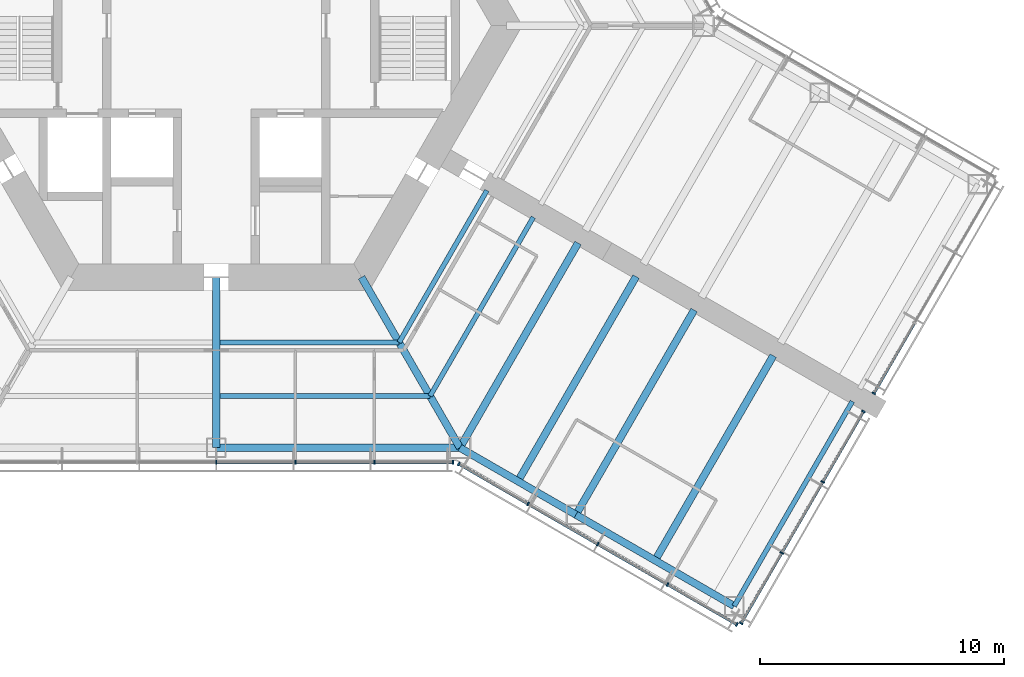
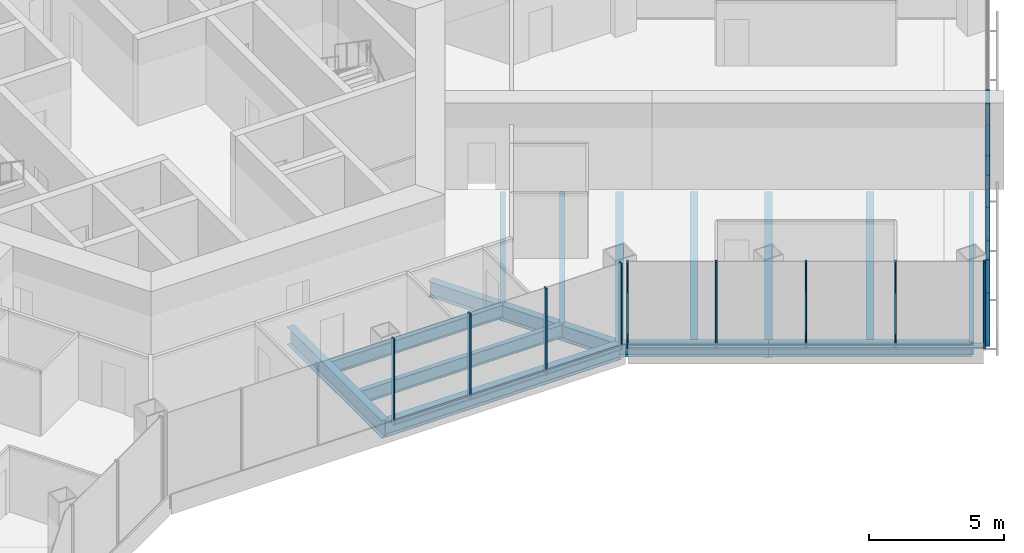
# One storey, part 5 of 19: 25 members, 14 beams, 4 elements without a shape of their own.
"""IFC4 building model written with IfcOpenShell, lengths in metres."""

from ifc_helpers import new_model, si_unit, direction, frame, origin, origin_2d, place, context, subcontext, project, spatial, rectangle, i_section, extrude, material, material_profile, profile_set, type_object, element, aggregate, save


model = new_model("IFC4")

# Units and contexts
model_context = context("Model", 3, precision=1e-05, world=origin(), true_north=direction((0.0, 1.0)))
body_context = subcontext(model_context, "Body", "Model", "MODEL_VIEW")
ifc_project = project(units=[si_unit("LENGTHUNIT", "METRE"), si_unit("AREAUNIT", "SQUARE_METRE"), si_unit("VOLUMEUNIT", "CUBIC_METRE"), si_unit("PLANEANGLEUNIT", "RADIAN"), si_unit("MASSUNIT", "GRAM", prefix="KILO")], contexts=[model_context])

# Site, building, storey
site_placement = place(None, origin())
site = spatial("IfcSite", under=ifc_project, at=site_placement, CompositionType="ELEMENT")
building_placement = place(site_placement, origin())
building = spatial("IfcBuilding", under=site, at=building_placement, Name="Kasaneha Research Tower", CompositionType="ELEMENT")
storey_placement = place(building_placement, frame((0.0, 0.0, 92.39990234375)))
storey = spatial("IfcBuildingStorey", under=building, at=storey_placement, Name="L23", CompositionType="ELEMENT", Elevation=92.39990234375)

# Beams
ifc_material_1 = material(Name="Steel SN490B", Category="steel")
ifc_material_profile_1 = material_profile(ifc_material_1, i_section(OverallWidth=0.199951171875, OverallDepth=0.60009765625, WebThickness=0.010986328125, FlangeThickness=0.01708984375, FilletRadius=0.012939453125, at=origin_2d()), Name="H-600x200x11x17")
ifc_profile_set_1 = profile_set([ifc_material_profile_1], Name="Steel SN490B")
beam_type_1 = type_object("IfcBeamType", Name="B1-3 secondary beam H-600x200x11x17", PredefinedType="JOIST", material=ifc_profile_set_1)
beam_1_placement = place(storey_placement, frame((7.505615234375, -13.0, -0.449951171875), z_axis=(-1.0, 0.0, 0.0), x_axis=(0.0, -1.0, 0.0)))
element("IfcBeam", 1, at=beam_1_placement, inside=storey, type_object=beam_type_1, Name="Secondary beam RS270R1 L23", PredefinedType="JOIST", context=body_context, shape_type="SweptSolid", body=[
    extrude(i_section(OverallWidth=0.199951171875, OverallDepth=0.60009765625, WebThickness=0.010986328125, FlangeThickness=0.01708984375, FilletRadius=0.012939453125, at=origin_2d()), origin(), (0.0, 0.0, 1.0), 7.355712890625),
])
beam_2_placement = place(storey_placement, frame((8.775634765625, -15.199951171875, -0.449951171875), z_axis=(-1.0, 0.0, 0.0), x_axis=(0.0, -1.0, 0.0)))
element("IfcBeam", 2, at=beam_2_placement, inside=storey, type_object=beam_type_1, Name="Secondary beam RS270R2 L23", PredefinedType="JOIST", context=body_context, shape_type="SweptSolid", body=[
    extrude(i_section(OverallWidth=0.199951171875, OverallDepth=0.60009765625, WebThickness=0.010986328125, FlangeThickness=0.01708984375, FilletRadius=0.012939453125, at=origin_2d()), origin(), (0.0, 0.0, 1.0), 8.625732421875),
])
beam_3_placement = place(storey_placement, frame((7.505615234375, -13.0, -0.449951171875), z_axis=(0.499998147991, 0.86602647304, 0.0), x_axis=(-0.86602647304, 0.499998147991, 0.0)))
element("IfcBeam", 3, at=beam_3_placement, inside=storey, type_object=beam_type_1, Name="Secondary beam RS330L1 L23", PredefinedType="JOIST", context=body_context, shape_type="SweptSolid", body=[
    extrude(i_section(OverallWidth=0.199951171875, OverallDepth=0.60009765625, WebThickness=0.010986328125, FlangeThickness=0.01708984375, FilletRadius=0.012939453125, at=origin_2d()), origin(), (0.0, 0.0, 1.0), 7.20556640625),
])
beam_4_placement = place(storey_placement, frame((8.775634765625, -15.199951171875, -0.449951171875), z_axis=(0.500020829043, 0.866013377797, 0.0), x_axis=(-0.866013377797, 0.500020829043, 0.0)))
element("IfcBeam", 4, at=beam_4_placement, inside=storey, type_object=beam_type_1, Name="Secondary beam RS330L2 L23", PredefinedType="JOIST", context=body_context, shape_type="SweptSolid", body=[
    extrude(i_section(OverallWidth=0.199951171875, OverallDepth=0.60009765625, WebThickness=0.010986328125, FlangeThickness=0.01708984375, FilletRadius=0.012939453125, at=origin_2d()), origin(), (0.0, 0.0, 1.0), 8.475830078125),
])
ifc_material_2 = material(Name="Steel SN490B", Category="steel")
ifc_material_profile_2 = material_profile(ifc_material_2, i_section(OverallWidth=0.300048828125, OverallDepth=0.58203125, WebThickness=0.011962890625, FlangeThickness=0.01708984375, FilletRadius=0.012939453125, at=origin_2d()), Name="H-582x300x12x17")
ifc_profile_set_2 = profile_set([ifc_material_profile_2], Name="Steel SN490B")
beam_type_2 = type_object("IfcBeamType", Name="B2-3 secondary beam H-582x300x12x17", PredefinedType="JOIST", material=ifc_profile_set_2)
for number, where, z_axis, x_axis, name in (
    (5, (12.381591796875, -18.695556640625, -0.44091796875), (0.500010041276, 0.866019606374, 0.0), (-0.866019606374, 0.500010041276, 0.0), "Secondary beam WBCP1 L23"),
    (6, (18.0107421875, -21.945556640625, -0.44091796875), (0.500010041276, 0.866019606374, 0.0), (-0.866019606374, 0.500010041276, 0.0), "Secondary beam WBCP2 L23"),
):
    element("IfcBeam", number, at=place(storey_placement, frame(where, z_axis=z_axis, x_axis=x_axis)), inside=storey, type_object=beam_type_2, Name=name, PredefinedType="JOIST", context=body_context, shape_type="SweptSolid", body=[
        extrude(i_section(OverallWidth=0.300048828125, OverallDepth=0.58203125, WebThickness=0.011962890625, FlangeThickness=0.01708984375, FilletRadius=0.012939453125, at=origin_2d()), origin(), (0.0, 0.0, 1.0), 9.699951171875),
    ])

# Curtain wall, members
ifc_material_3 = material(Name="Glass and aluminium", Category="aluminium")
curtain_wall_type = type_object("IfcCurtainWallType", Name="Low-rise office curtain wall", PredefinedType="USERDEFINED", material=ifc_material_3)
curtain_wall_1_placement = place(storey_placement, origin())
curtain_wall_1 = element("IfcCurtainWall", 7, at=curtain_wall_1_placement, inside=storey, type_object=curtain_wall_type, Name="CW-O1 L23 run 02a", ObjectType="UNITISED CURTAIN WALL", PredefinedType="USERDEFINED")
ifc_material_4 = material(Name="Aluminium 6063-T6", Category="aluminium")
ifc_material_profile_3 = material_profile(ifc_material_4, rectangle(XDim=0.06005859375, YDim=0.159912109375, at=origin_2d()), Name="CW-O1 mullion 60x160")
ifc_profile_set_3 = profile_set([ifc_material_profile_3], Name="Aluminium 6063-T6")
member_type_1 = type_object("IfcMemberType", Name="CW-O1 mullion", PredefinedType="MULLION", material=ifc_profile_set_3)
member_1_placement = place(storey_placement, frame((0.0, -17.92041015625, 0.0), z_axis=(0.0, 0.0, 1.0), x_axis=(1.0, 0.0, 0.0)))
member_1 = element("IfcMember", 8, at=member_1_placement, type_object=member_type_1, Name="CW-O1 mullion 4", PredefinedType="MULLION", context=body_context, shape_type="SweptSolid", body=[
    extrude(rectangle(XDim=0.06005859375, YDim=0.159912109375, at=origin_2d()), origin(), (0.0, 0.0, 1.0), 3.900146484375),
])
member_2_placement = place(storey_placement, frame((3.246337890625, -17.92041015625, 0.0), z_axis=(0.0, 0.0, 1.0), x_axis=(1.0, 0.0, 0.0)))
member_2 = element("IfcMember", 9, at=member_2_placement, type_object=member_type_1, Name="CW-O1 mullion 5", PredefinedType="MULLION", context=body_context, shape_type="SweptSolid", body=[
    extrude(rectangle(XDim=0.06005859375, YDim=0.159912109375, at=origin_2d()), origin(), (0.0, 0.0, 1.0), 3.900146484375),
])
member_3_placement = place(storey_placement, frame((6.492919921875, -17.92041015625, 0.0), z_axis=(0.0, 0.0, 1.0), x_axis=(1.0, 0.0, 0.0)))
member_3 = element("IfcMember", 10, at=member_3_placement, type_object=member_type_1, Name="CW-O1 mullion 6", PredefinedType="MULLION", context=body_context, shape_type="SweptSolid", body=[
    extrude(rectangle(XDim=0.06005859375, YDim=0.159912109375, at=origin_2d()), origin(), (0.0, 0.0, 1.0), 3.900146484375),
])
member_4_placement = place(storey_placement, frame((9.709228515625, -17.92041015625, 0.0), z_axis=(0.0, 0.0, 1.0), x_axis=(1.0, 0.0, 0.0)))
member_4 = element("IfcMember", 11, at=member_4_placement, type_object=member_type_1, Name="CW-O1 mullion 7", PredefinedType="MULLION", context=body_context, shape_type="SweptSolid", body=[
    extrude(rectangle(XDim=0.06005859375, YDim=0.159912109375, at=origin_2d()), origin(), (0.0, 0.0, 1.0), 3.900146484375),
])

curtain_wall_2_placement = place(storey_placement, origin())
curtain_wall_2 = element("IfcCurtainWall", 12, at=curtain_wall_2_placement, inside=storey, type_object=curtain_wall_type, Name="CW-O1 L23 run 03a", ObjectType="UNITISED CURTAIN WALL", PredefinedType="USERDEFINED")
member_5_placement = place(storey_placement, frame((9.951904296875, -17.985595703125, 0.0), z_axis=(0.0, 0.0, 1.0), x_axis=(0.866025411464, -0.499999986699, 0.0)))
member_5 = element("IfcMember", 13, at=member_5_placement, type_object=member_type_1, Name="CW-O1 mullion 1", PredefinedType="MULLION", context=body_context, shape_type="SweptSolid", body=[
    extrude(rectangle(XDim=0.06005859375, YDim=0.159912109375, at=origin_2d()), origin(), (0.0, 0.0, 1.0), 3.900146484375),
])
member_6_placement = place(storey_placement, frame((12.792236328125, -19.62548828125, 0.0), z_axis=(0.0, 0.0, 1.0), x_axis=(0.866025411464, -0.499999986699, 0.0)))
member_6 = element("IfcMember", 14, at=member_6_placement, type_object=member_type_1, Name="CW-O1 mullion 2", PredefinedType="MULLION", context=body_context, shape_type="SweptSolid", body=[
    extrude(rectangle(XDim=0.06005859375, YDim=0.159912109375, at=origin_2d()), origin(), (0.0, 0.0, 1.0), 3.900146484375),
])
member_7_placement = place(storey_placement, frame((15.65869140625, -21.2802734375, 0.0), z_axis=(0.0, 0.0, 1.0), x_axis=(0.866025411464, -0.499999986699, 0.0)))
member_7 = element("IfcMember", 15, at=member_7_placement, type_object=member_type_1, Name="CW-O1 mullion 3", PredefinedType="MULLION", context=body_context, shape_type="SweptSolid", body=[
    extrude(rectangle(XDim=0.06005859375, YDim=0.159912109375, at=origin_2d()), origin(), (0.0, 0.0, 1.0), 3.900146484375),
])
member_8_placement = place(storey_placement, frame((18.52490234375, -22.935302734375, 0.0), z_axis=(0.0, 0.0, 1.0), x_axis=(0.866025411464, -0.499999986699, 0.0)))
member_8 = element("IfcMember", 16, at=member_8_placement, type_object=member_type_1, Name="CW-O1 mullion 4", PredefinedType="MULLION", context=body_context, shape_type="SweptSolid", body=[
    extrude(rectangle(XDim=0.06005859375, YDim=0.159912109375, at=origin_2d()), origin(), (0.0, 0.0, 1.0), 3.900146484375),
])
member_9_placement = place(storey_placement, frame((21.365478515625, -24.5751953125, 0.0), z_axis=(0.0, 0.0, 1.0), x_axis=(0.866025411464, -0.499999986699, 0.0)))
member_9 = element("IfcMember", 17, at=member_9_placement, type_object=member_type_1, Name="CW-O1 mullion 5", PredefinedType="MULLION", context=body_context, shape_type="SweptSolid", body=[
    extrude(rectangle(XDim=0.06005859375, YDim=0.159912109375, at=origin_2d()), origin(), (0.0, 0.0, 1.0), 3.900146484375),
])

curtain_wall_3_placement = place(storey_placement, origin())
curtain_wall_3 = element("IfcCurtainWall", 18, at=curtain_wall_3_placement, inside=storey, type_object=curtain_wall_type, Name="CW-O1 L23 run 04a", ObjectType="UNITISED CURTAIN WALL", PredefinedType="USERDEFINED")
member_10_placement = place(storey_placement, frame((21.54296875, -24.527587890625, 0.0), z_axis=(0.0, 0.0, 1.0), x_axis=(0.500000011442, 0.866025397178, 0.0)))
member_10 = element("IfcMember", 19, at=member_10_placement, type_object=member_type_1, Name="CW-O1 mullion 1", PredefinedType="MULLION", context=body_context, shape_type="SweptSolid", body=[
    extrude(rectangle(XDim=0.06005859375, YDim=0.159912109375, at=origin_2d()), origin(), (0.0, 0.0, 1.0), 3.900146484375),
])
member_11_placement = place(storey_placement, frame((23.211181640625, -21.637939453125, 0.0), z_axis=(0.0, 0.0, 1.0), x_axis=(0.500000011442, 0.866025397178, 0.0)))
member_11 = element("IfcMember", 20, at=member_11_placement, type_object=member_type_1, Name="CW-O1 mullion 2", PredefinedType="MULLION", context=body_context, shape_type="SweptSolid", body=[
    extrude(rectangle(XDim=0.06005859375, YDim=0.159912109375, at=origin_2d()), origin(), (0.0, 0.0, 1.0), 3.900146484375),
])
member_12_placement = place(storey_placement, frame((24.89453125, -18.72216796875, 0.0), z_axis=(0.0, 0.0, 1.0), x_axis=(0.500000011442, 0.866025397178, 0.0)))
member_12 = element("IfcMember", 21, at=member_12_placement, type_object=member_type_1, Name="CW-O1 mullion 3", PredefinedType="MULLION", context=body_context, shape_type="SweptSolid", body=[
    extrude(rectangle(XDim=0.06005859375, YDim=0.159912109375, at=origin_2d()), origin(), (0.0, 0.0, 1.0), 3.900146484375),
])
member_13_placement = place(storey_placement, frame((26.56298828125, -15.832763671875, 0.0), z_axis=(0.0, 0.0, 1.0), x_axis=(0.500000011442, 0.866025397178, 0.0)))
member_13 = element("IfcMember", 22, at=member_13_placement, type_object=member_type_1, Name="CW-O1 mullion 4", PredefinedType="MULLION", context=body_context, shape_type="SweptSolid", body=[
    extrude(rectangle(XDim=0.06005859375, YDim=0.159912109375, at=origin_2d()), origin(), (0.0, 0.0, 1.0), 3.900146484375),
])

# Curtain wall, member
curtain_wall_4_placement = place(storey_placement, origin())
curtain_wall_4 = element("IfcCurtainWall", 23, at=curtain_wall_4_placement, inside=storey, type_object=curtain_wall_type, Name="CW-O1 L23 run 05a", ObjectType="UNITISED CURTAIN WALL", PredefinedType="USERDEFINED")
member_14_placement = place(storey_placement, frame((26.992919921875, -15.087890625, 0.0), z_axis=(0.0, 0.0, 1.0), x_axis=(0.500000011442, 0.866025397178, 0.0)))
member_14 = element("IfcMember", 24, at=member_14_placement, type_object=member_type_1, Name="CW-O1 mullion 1", PredefinedType="MULLION", context=body_context, shape_type="SweptSolid", body=[
    extrude(rectangle(XDim=0.06005859375, YDim=0.159912109375, at=origin_2d()), origin(), (0.0, 0.0, 1.0), 3.900146484375),
])

# Member
ifc_material_5 = material(Name="Aluminium 6063-T6", Category="aluminium")
ifc_material_profile_4 = material_profile(ifc_material_5, rectangle(XDim=0.1201171875, YDim=0.06005859375, at=origin_2d()), Name="CW-O1 transom 120x60")
ifc_profile_set_4 = profile_set([ifc_material_profile_4], Name="Aluminium 6063-T6")
member_type_2 = type_object("IfcMemberType", Name="CW-O1 transom", PredefinedType="USERDEFINED", material=ifc_profile_set_4)
member_15_placement = place(storey_placement, frame((0.030029296875, -17.92041015625, 0.030029296875), z_axis=(1.0, 0.0, 0.0), x_axis=(0.0, 1.0, 0.0)))
member_15 = element("IfcMember", 25, at=member_15_placement, type_object=member_type_2, Name="CW-O1 transom 4", ObjectType="TRANSOM", PredefinedType="USERDEFINED", context=body_context, shape_type="SweptSolid", body=[
    extrude(rectangle(XDim=0.1201171875, YDim=0.06005859375, at=origin_2d()), origin(), (0.0, 0.0, 1.0), 3.186279296875),
])

member_16_placement = place(storey_placement, frame((3.2763671875, -17.92041015625, 0.030029296875), z_axis=(1.0, 0.0, 0.0), x_axis=(0.0, 1.0, 0.0)))
member_16 = element("IfcMember", 26, at=member_16_placement, type_object=member_type_2, Name="CW-O1 transom 5", ObjectType="TRANSOM", PredefinedType="USERDEFINED", context=body_context, shape_type="SweptSolid", body=[
    extrude(rectangle(XDim=0.1201171875, YDim=0.06005859375, at=origin_2d()), origin(), (0.0, 0.0, 1.0), 3.1865234375),
])

member_17_placement = place(storey_placement, frame((6.522705078125, -17.92041015625, 0.030029296875), z_axis=(1.0, 0.0, 0.0), x_axis=(0.0, 1.0, 0.0)))
member_17 = element("IfcMember", 27, at=member_17_placement, type_object=member_type_2, Name="CW-O1 transom 6", ObjectType="TRANSOM", PredefinedType="USERDEFINED", context=body_context, shape_type="SweptSolid", body=[
    extrude(rectangle(XDim=0.1201171875, YDim=0.06005859375, at=origin_2d()), origin(), (0.0, 0.0, 1.0), 3.156494140625),
])

aggregate(curtain_wall_1, [member_1, member_2, member_3, member_4, member_15, member_16, member_17])

member_18_placement = place(storey_placement, frame((9.977783203125, -18.00048828125, 0.030029296875), z_axis=(0.866022692473, -0.500004696101, 0.0), x_axis=(0.500004696101, 0.866022692473, 0.0)))
member_18 = element("IfcMember", 28, at=member_18_placement, type_object=member_type_2, Name="CW-O1 transom 1", ObjectType="TRANSOM", PredefinedType="USERDEFINED", context=body_context, shape_type="SweptSolid", body=[
    extrude(rectangle(XDim=0.1201171875, YDim=0.06005859375, at=origin_2d()), origin(), (0.0, 0.0, 1.0), 3.2197265625),
])

member_19_placement = place(storey_placement, frame((12.818115234375, -19.640380859375, 0.030029296875), z_axis=(0.866015446554, -0.500017246033, 0.0), x_axis=(0.500017246033, 0.866015446554, 0.0)))
member_19 = element("IfcMember", 29, at=member_19_placement, type_object=member_type_2, Name="CW-O1 transom 2", ObjectType="TRANSOM", PredefinedType="USERDEFINED", context=body_context, shape_type="SweptSolid", body=[
    extrude(rectangle(XDim=0.1201171875, YDim=0.06005859375, at=origin_2d()), origin(), (0.0, 0.0, 1.0), 3.25),
])

member_20_placement = place(storey_placement, frame((15.6845703125, -21.29541015625, 0.030029296875), z_axis=(0.86604797581, -0.499960902066, 0.0), x_axis=(0.499960902066, 0.86604797581, 0.0)))
member_20 = element("IfcMember", 30, at=member_20_placement, type_object=member_type_2, Name="CW-O1 transom 3", ObjectType="TRANSOM", PredefinedType="USERDEFINED", context=body_context, shape_type="SweptSolid", body=[
    extrude(rectangle(XDim=0.1201171875, YDim=0.06005859375, at=origin_2d()), origin(), (0.0, 0.0, 1.0), 3.249755859375),
])

member_21_placement = place(storey_placement, frame((18.551025390625, -22.9501953125, 0.030029296875), z_axis=(0.866022692473, -0.500004696101, 0.0), x_axis=(0.500004696101, 0.866022692473, 0.0)))
member_21 = element("IfcMember", 31, at=member_21_placement, type_object=member_type_2, Name="CW-O1 transom 4", ObjectType="TRANSOM", PredefinedType="USERDEFINED", context=body_context, shape_type="SweptSolid", body=[
    extrude(rectangle(XDim=0.1201171875, YDim=0.06005859375, at=origin_2d()), origin(), (0.0, 0.0, 1.0), 3.2197265625),
])

aggregate(curtain_wall_2, [member_5, member_6, member_7, member_8, member_9, member_18, member_19, member_20, member_21])

member_22_placement = place(storey_placement, frame((21.557861328125, -24.50146484375, 0.030029296875), z_axis=(0.500025583411, 0.866010632691, 0.0), x_axis=(-0.866010632691, 0.500025583411, 0.0)))
member_22 = element("IfcMember", 32, at=member_22_placement, type_object=member_type_2, Name="CW-O1 transom 1", ObjectType="TRANSOM", PredefinedType="USERDEFINED", context=body_context, shape_type="SweptSolid", body=[
    extrude(rectangle(XDim=0.1201171875, YDim=0.06005859375, at=origin_2d()), origin(), (0.0, 0.0, 1.0), 3.276611328125),
])

member_23_placement = place(storey_placement, frame((23.226318359375, -21.61181640625, 0.030029296875), z_axis=(0.500014325468, 0.866017132814, 0.0), x_axis=(-0.866017132814, 0.500014325468, 0.0)))
member_23 = element("IfcMember", 33, at=member_23_placement, type_object=member_type_2, Name="CW-O1 transom 2", ObjectType="TRANSOM", PredefinedType="USERDEFINED", context=body_context, shape_type="SweptSolid", body=[
    extrude(rectangle(XDim=0.1201171875, YDim=0.06005859375, at=origin_2d()), origin(), (0.0, 0.0, 1.0), 3.306640625),
])

member_24_placement = place(storey_placement, frame((24.90966796875, -18.6962890625, 0.030029296875), z_axis=(0.499969700927, 0.866042896256, 0.0), x_axis=(-0.866042896256, 0.499969700927, 0.0)))
member_24 = element("IfcMember", 34, at=member_24_placement, type_object=member_type_2, Name="CW-O1 transom 3", ObjectType="TRANSOM", PredefinedType="USERDEFINED", context=body_context, shape_type="SweptSolid", body=[
    extrude(rectangle(XDim=0.1201171875, YDim=0.06005859375, at=origin_2d()), origin(), (0.0, 0.0, 1.0), 3.276611328125),
])

aggregate(curtain_wall_3, [member_10, member_11, member_12, member_13, member_22, member_23, member_24])

member_25_placement = place(storey_placement, frame((27.008056640625, -15.061767578125, 0.030029296875), z_axis=(0.499969700927, 0.866042896256, 0.0), x_axis=(-0.866042896256, 0.499969700927, 0.0)))
member_25 = element("IfcMember", 35, at=member_25_placement, type_object=member_type_2, Name="CW-O1 transom 1", ObjectType="TRANSOM", PredefinedType="USERDEFINED", context=body_context, shape_type="SweptSolid", body=[
    extrude(rectangle(XDim=0.1201171875, YDim=0.06005859375, at=origin_2d()), origin(), (0.0, 0.0, 1.0), 3.276611328125),
])

aggregate(curtain_wall_4, [member_14, member_25])

# Beams
ifc_material_6 = material(Name="Steel SN490B", Category="steel")
ifc_material_profile_5 = material_profile(ifc_material_6, i_section(OverallWidth=0.300048828125, OverallDepth=0.699951171875, WebThickness=0.012939453125, FlangeThickness=0.02392578125, FilletRadius=0.01806640625, at=origin_2d()), Name="H-700x300x13x24")
ifc_profile_set_5 = profile_set([ifc_material_profile_5], Name="Steel SN490B")
beam_type_3 = type_object("IfcBeamType", Name="G1-3 radial girder H-700x300x13x24", PredefinedType="BEAM", material=ifc_profile_set_5)
beam_5_placement = place(storey_placement, frame((5.961181640625, -10.324951171875, -0.5), z_axis=(0.49999105496, -0.866030568144, 0.0), x_axis=(0.866030568144, 0.49999105496, 0.0)))
element("IfcBeam", 36, at=beam_5_placement, inside=storey, type_object=beam_type_3, Name="Radial girder RV300 L23", PredefinedType="BEAM", context=body_context, shape_type="SweptSolid", body=[
    extrude(i_section(OverallWidth=0.300048828125, OverallDepth=0.699951171875, WebThickness=0.012939453125, FlangeThickness=0.02392578125, FilletRadius=0.01806640625, at=origin_2d()), origin(), (0.0, 0.0, 1.0), 8.077880859375),
])
ifc_material_7 = material(Name="Steel SN490B", Category="steel")
ifc_material_profile_6 = material_profile(ifc_material_7, i_section(OverallWidth=0.300048828125, OverallDepth=0.800048828125, WebThickness=0.013916015625, FlangeThickness=0.02587890625, FilletRadius=0.01806640625, at=origin_2d()), Name="H-800x300x14x26")
ifc_profile_set_6 = profile_set([ifc_material_profile_6], Name="Steel SN490B")
beam_type_4 = type_object("IfcBeamType", Name="G2-3 radial girder H-800x300x14x26", PredefinedType="BEAM", material=ifc_profile_set_6)
beam_6_placement = place(storey_placement, frame((0.0, -10.324951171875, -0.5498046875), z_axis=(0.0, -1.0, 0.0), x_axis=(1.0, 0.0, 0.0)))
element("IfcBeam", 37, at=beam_6_placement, inside=storey, type_object=beam_type_4, Name="Radial girder RM270 L23", PredefinedType="BEAM", context=body_context, shape_type="SweptSolid", body=[
    extrude(i_section(OverallWidth=0.300048828125, OverallDepth=0.800048828125, WebThickness=0.013916015625, FlangeThickness=0.02587890625, FilletRadius=0.01806640625, at=origin_2d()), origin(), (0.0, 0.0, 1.0), 6.99560546875),
])
ifc_material_8 = material(Name="Steel SN490B", Category="steel")
ifc_material_profile_7 = material_profile(ifc_material_8, i_section(OverallWidth=0.300048828125, OverallDepth=0.69189453125, WebThickness=0.012939453125, FlangeThickness=0.02001953125, FilletRadius=0.01806640625, at=origin_2d()), Name="H-692x300x13x20")
ifc_profile_set_7 = profile_set([ifc_material_profile_7], Name="Steel SN490B")
beam_type_5 = type_object("IfcBeamType", Name="G3-3 plate edge girder H-692x300x13x20", PredefinedType="BEAM", material=ifc_profile_set_7)
beam_7_placement = place(storey_placement, frame((10.0, -17.320556640625, -0.495849609375), z_axis=(0.500010041276, 0.866019606374, 0.0), x_axis=(-0.866019606374, 0.500010041276, 0.0)))
element("IfcBeam", 38, at=beam_7_placement, inside=storey, type_object=beam_type_5, Name="Plate edge girder PECP L23", PredefinedType="BEAM", context=body_context, shape_type="SweptSolid", body=[
    extrude(i_section(OverallWidth=0.300048828125, OverallDepth=0.69189453125, WebThickness=0.012939453125, FlangeThickness=0.02001953125, FilletRadius=0.01806640625, at=origin_2d()), origin(), (0.0, 0.0, 1.0), 9.699951171875),
])
ifc_material_9 = material(Name="Steel SN490B", Category="steel")
ifc_material_profile_8 = material_profile(ifc_material_9, i_section(OverallWidth=0.300048828125, OverallDepth=0.699951171875, WebThickness=0.012939453125, FlangeThickness=0.02392578125, FilletRadius=0.01806640625, at=origin_2d()), Name="H-700x300x13x24")
ifc_profile_set_8 = profile_set([ifc_material_profile_8], Name="Steel SN490B")
beam_type_6 = type_object("IfcBeamType", Name="G4-3 wing girder H-700x300x13x24", PredefinedType="BEAM", material=ifc_profile_set_8)
beam_8_placement = place(storey_placement, frame((14.76318359375, -20.070556640625, -0.5), z_axis=(0.499991164321, 0.866030505006, 0.0), x_axis=(-0.866030505006, 0.499991164321, 0.0)))
element("IfcBeam", 39, at=beam_8_placement, inside=storey, type_object=beam_type_6, Name="Wing girder WGCP L23", PredefinedType="BEAM", context=body_context, shape_type="SweptSolid", body=[
    extrude(i_section(OverallWidth=0.300048828125, OverallDepth=0.699951171875, WebThickness=0.012939453125, FlangeThickness=0.02392578125, FilletRadius=0.01806640625, at=origin_2d()), origin(), (0.0, 0.0, 1.0), 9.699951171875),
])
ifc_material_10 = material(Name="Steel SN490B", Category="steel")
ifc_material_profile_9 = material_profile(ifc_material_10, i_section(OverallWidth=0.300048828125, OverallDepth=0.69189453125, WebThickness=0.012939453125, FlangeThickness=0.02001953125, FilletRadius=0.01806640625, at=origin_2d()), Name="H-692x300x13x20")
ifc_profile_set_9 = profile_set([ifc_material_profile_9], Name="Steel SN490B")
beam_type_7 = type_object("IfcBeamType", Name="SB1-3 spandrel beam H-692x300x13x20", PredefinedType="SPANDREL", material=ifc_profile_set_9)
beam_9_placement = place(storey_placement, frame((10.0, -17.320556640625, -0.495849609375), z_axis=(-1.0, 0.0, 0.0), x_axis=(0.0, -1.0, 0.0)))
element("IfcBeam", 40, at=beam_9_placement, inside=storey, type_object=beam_type_7, Name="Spandrel beam SR270R L23", PredefinedType="SPANDREL", context=body_context, shape_type="SweptSolid", body=[
    extrude(i_section(OverallWidth=0.300048828125, OverallDepth=0.69189453125, WebThickness=0.012939453125, FlangeThickness=0.02001953125, FilletRadius=0.01806640625, at=origin_2d()), origin(), (0.0, 0.0, 1.0), 10.0),
])
ifc_material_11 = material(Name="Steel SN490B", Category="steel")
ifc_material_profile_10 = material_profile(ifc_material_11, i_section(OverallWidth=0.300048828125, OverallDepth=0.58203125, WebThickness=0.011962890625, FlangeThickness=0.01708984375, FilletRadius=0.012939453125, at=origin_2d()), Name="H-582x300x12x17")
ifc_profile_set_10 = profile_set([ifc_material_profile_10], Name="Steel SN490B")
beam_type_8 = type_object("IfcBeamType", Name="SB2-3 spandrel beam H-582x300x12x17", PredefinedType="SPANDREL", material=ifc_profile_set_10)
beam_10_placement = place(storey_placement, frame((10.0, -17.320556640625, -0.44091796875), z_axis=(0.866027397988, -0.499996545922, 0.0), x_axis=(0.499996545922, 0.866027397988, 0.0)))
element("IfcBeam", 41, at=beam_10_placement, inside=storey, type_object=beam_type_8, Name="Spandrel beam WSCP1 L23", PredefinedType="SPANDREL", context=body_context, shape_type="SweptSolid", body=[
    extrude(i_section(OverallWidth=0.300048828125, OverallDepth=0.58203125, WebThickness=0.011962890625, FlangeThickness=0.01708984375, FilletRadius=0.012939453125, at=origin_2d()), origin(), (0.0, 0.0, 1.0), 5.5),
])
beam_11_placement = place(storey_placement, frame((14.76318359375, -20.070556640625, -0.44091796875), z_axis=(0.866022959057, -0.500004234368, 0.0), x_axis=(0.500004234368, 0.866022959057, 0.0)))
element("IfcBeam", 42, at=beam_11_placement, inside=storey, type_object=beam_type_8, Name="Spandrel beam WSCP2 L23", PredefinedType="SPANDREL", context=body_context, shape_type="SweptSolid", body=[
    extrude(i_section(OverallWidth=0.300048828125, OverallDepth=0.58203125, WebThickness=0.011962890625, FlangeThickness=0.01708984375, FilletRadius=0.012939453125, at=origin_2d()), origin(), (0.0, 0.0, 1.0), 7.5),
])
ifc_material_12 = material(Name="Steel SN490B", Category="steel")
ifc_material_profile_11 = material_profile(ifc_material_12, i_section(OverallWidth=0.199951171875, OverallDepth=0.60009765625, WebThickness=0.010986328125, FlangeThickness=0.01708984375, FilletRadius=0.012939453125, at=origin_2d()), Name="H-600x200x11x17")
ifc_profile_set_11 = profile_set([ifc_material_profile_11], Name="Steel SN490B")
beam_type_9 = type_object("IfcBeamType", Name="SB3-3 spandrel beam H-600x200x11x17", PredefinedType="SPANDREL", material=ifc_profile_set_11)
beam_12_placement = place(storey_placement, frame((21.25830078125, -23.820556640625, -0.449951171875), z_axis=(0.500010041276, 0.866019606374, 0.0), x_axis=(-0.866019606374, 0.500010041276, 0.0)))
element("IfcBeam", 43, at=beam_12_placement, inside=storey, type_object=beam_type_9, Name="Spandrel beam WTCP L23", PredefinedType="SPANDREL", context=body_context, shape_type="SweptSolid", body=[
    extrude(i_section(OverallWidth=0.199951171875, OverallDepth=0.60009765625, WebThickness=0.010986328125, FlangeThickness=0.01708984375, FilletRadius=0.012939453125, at=origin_2d()), origin(), (0.0, 0.0, 1.0), 9.699951171875),
])

save(model, "model.ifc")
